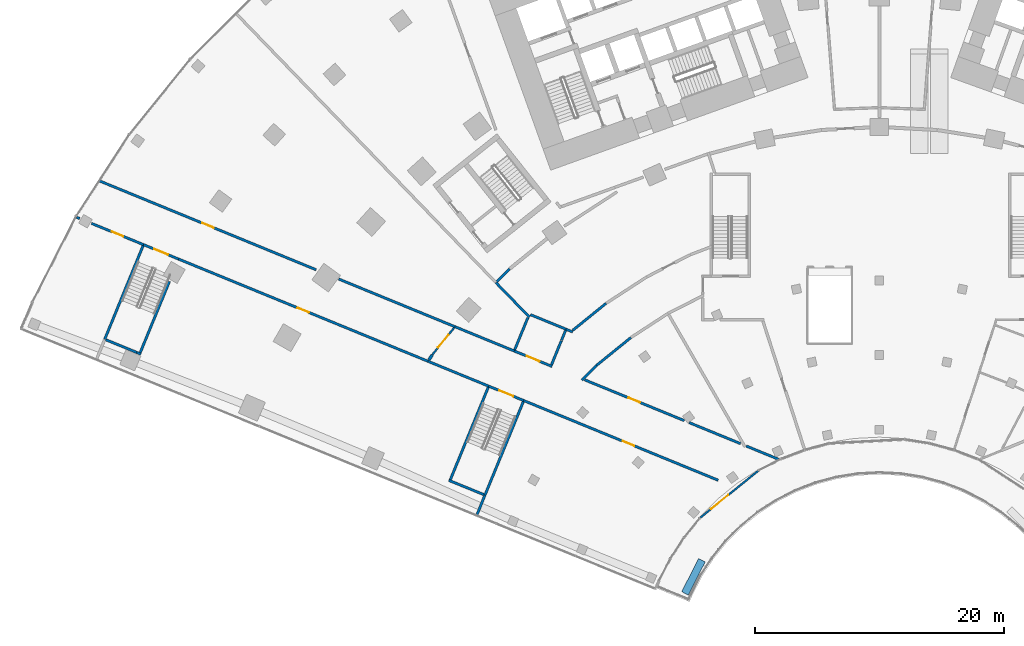
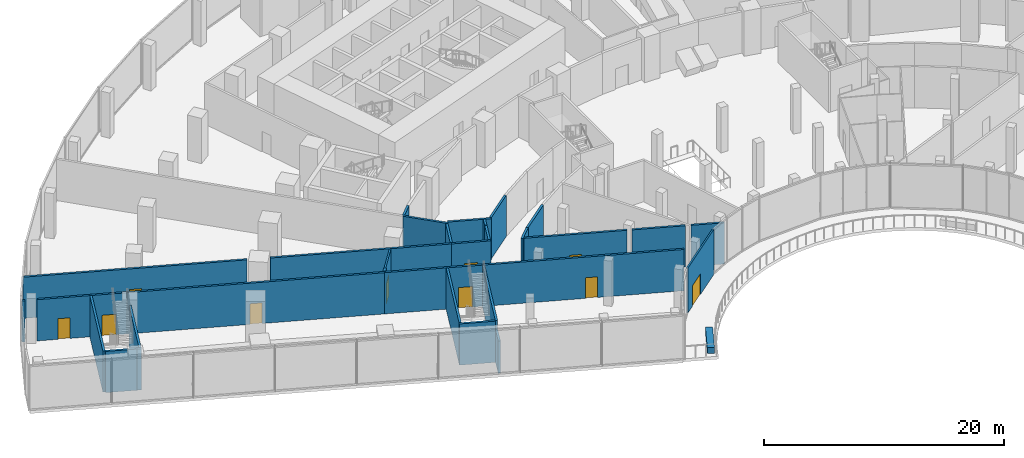
# One storey, part 22 of 40: 36 walls, 10 doors, 10 openings.
"""IFC4 building model written with IfcOpenShell, lengths in metres."""

from ifc_helpers import new_model, si_unit, direction, frame, frame_2d, origin, origin_2d, place, context, subcontext, project, spatial, rectangle, extrude, material, layer, layer_set, type_object, element, fill, save


model = new_model("IFC4")

# Units and contexts
model_context = context("Model", 3, precision=1e-05, world=origin(), true_north=direction((0.0, 1.0)))
body_context = subcontext(model_context, "Body", "Model", "MODEL_VIEW")
ifc_project = project(units=[si_unit("LENGTHUNIT", "METRE"), si_unit("AREAUNIT", "SQUARE_METRE"), si_unit("VOLUMEUNIT", "CUBIC_METRE"), si_unit("PLANEANGLEUNIT", "RADIAN"), si_unit("MASSUNIT", "GRAM", prefix="KILO")], contexts=[model_context])

# Site, building, storey
site_placement = place(None, origin())
site = spatial("IfcSite", under=ifc_project, at=site_placement, CompositionType="ELEMENT")
building_placement = place(site_placement, origin())
building = spatial("IfcBuilding", under=site, at=building_placement, Name="Stone Belt Terrace Tower", CompositionType="ELEMENT")
storey_placement = place(building_placement, frame((0.0, 0.0, 7.0)))
storey = spatial("IfcBuildingStorey", under=building, at=storey_placement, Name="L01", CompositionType="ELEMENT", Elevation=7.0)

# Wall, opening, door
ifc_material_1 = material(Name="Terracotta coloured glazed ceramic", Category="masonry")
ifc_layer_1 = layer(ifc_material_1, 0.14990234375)
ifc_layer_set_1 = layer_set([ifc_layer_1], Name="Ceramic rain-screen wall 150")
wall_type_1 = type_object("IfcWallType", Name="Ceramic rain-screen wall 150", PredefinedType="SOLIDWALL", material=ifc_layer_set_1)
wall_1_placement = place(storey_placement, frame((-14.40869140625, 13.018310546875, 0.0), z_axis=(0.0, 0.0, 1.0), x_axis=(0.777129442092, 0.629340790219, 0.0)))
wall_1 = element("IfcWall", 1, at=wall_1_placement, inside=storey, type_object=wall_type_1, Name="Door wall L01", PredefinedType="SOLIDWALL", context=body_context, shape_type="SweptSolid", body=[
    extrude(rectangle(XDim=6.009765625, YDim=0.14990234375, at=frame_2d((3.0048828125, 0.0))), origin(), (0.0, 0.0, 1.0), 4.60009765625),
])
opening_1_placement = place(wall_1_placement, frame((1.10009765625, 0.0, 0.0)))
opening_1 = element("IfcOpeningElement", 2, at=opening_1_placement, cuts=wall_1, Name="Opening L01-E01", PredefinedType="OPENING", context=body_context, shape_type="SweptSolid", body=[
    extrude(rectangle(XDim=1.800048828125, YDim=2.10009765625, at=frame_2d((0.89990234375, 1.050048828125))), frame((0.0, 0.0849609375, 0.0), z_axis=(0.0, -1.0, 0.0), x_axis=(1.0, 0.0, 0.0)), (0.0, 0.0, 1.0), 0.169921875),
])
ifc_material_2 = material(Name="Anodised aluminium glazed door", Category="aluminium")
door_type_1 = type_object("IfcDoorType", Name="Terrace double door 1800 x 2100", OperationType="DOUBLE_DOOR_DOUBLE_SWING", PredefinedType="DOOR", material=ifc_material_2)
door_1_placement = place(opening_1_placement, origin())
door_1 = element("IfcDoor", 3, at=door_1_placement, inside=storey, type_object=door_type_1, Name="Terrace door L01", OperationType="DOUBLE_DOOR_DOUBLE_SWING", OverallHeight=2.10009765625, OverallWidth=1.800048828125, PredefinedType="DOOR", context=body_context, shape_type="SweptSolid", body=[
    extrude(rectangle(XDim=1.800048828125, YDim=2.10009765625, at=frame_2d((0.89990234375, 1.050048828125))), frame((0.0, 0.02490234375, 0.0), z_axis=(0.0, -1.0, 0.0), x_axis=(1.0, 0.0, 0.0)), (0.0, 0.0, 1.0), 0.050048828125),
])
fill(opening_1, door_1)

# Walls
ifc_material_3 = material(Name="Fire-resistant glazing in steel frame", Category="steel")
ifc_layer_2 = layer(ifc_material_3, 0.25)
ifc_layer_set_2 = layer_set([ifc_layer_2], Name="Glazed compartment fire screen 250")
wall_type_2 = type_object("IfcWallType", Name="Glazed compartment fire screen 250", PredefinedType="PARTITIONING", material=ifc_layer_set_2)
wall_2_placement = place(storey_placement, frame((-36.231201171875, 25.705322265625, 0.0), z_axis=(0.0, 0.0, 1.0), x_axis=(0.547424137073, 0.836855312554, 0.0)))
element("IfcWall", 4, at=wall_2_placement, inside=storey, type_object=wall_type_2, Name="Compartment fire screen L01 1", PredefinedType="PARTITIONING", context=body_context, shape_type="SweptSolid", body=[
    extrude(rectangle(XDim=0.4892578125, YDim=0.25, at=frame_2d((0.24462890625, 0.0))), origin(), (0.0, 0.0, 1.0), 4.199951171875),
])
ifc_material_4 = material(Name="Precast concrete C40/50", Category="concrete")
ifc_layer_3 = layer(ifc_material_4, 0.60009765625)
ifc_layer_set_3 = layer_set([ifc_layer_3], Name="Planter box 600 x 600")
wall_type_3 = type_object("IfcWallType", Name="Planter box 600 x 600", PredefinedType="SOLIDWALL", material=ifc_layer_set_3)
wall_3_placement = place(storey_placement, frame((-14.952392578125, 8.2705078125, 0.0), z_axis=(0.0, 0.0, 1.0), x_axis=(0.45399049974, 0.891006524188, 0.0)))
element("IfcWall", 5, at=wall_3_placement, inside=storey, type_object=wall_type_3, Name="PLANTER L01 1", PredefinedType="SOLIDWALL", context=body_context, shape_type="SweptSolid", body=[
    extrude(rectangle(XDim=3.0, YDim=0.60009765625, at=origin_2d()), origin(), (0.0, 0.0, 1.0), 0.60009765625),
])
ifc_material_5 = material(Name="Blockwork wall, plastered both faces", Category="masonry")
ifc_layer_4 = layer(ifc_material_5, 0.199951171875)
ifc_layer_set_4 = layer_set([ifc_layer_4], Name="Podium demising wall 200")
wall_type_4 = type_object("IfcWallType", Name="Podium demising wall 200", PredefinedType="PARTITIONING", material=ifc_layer_set_4)
wall_4_placement = place(storey_placement, frame((-64.56005859375, 37.179931640625, 0.0), z_axis=(0.0, 0.0, 1.0), x_axis=(0.92567790555, -0.378312589238, 0.0)))
element("IfcWall", 6, at=wall_4_placement, inside=storey, type_object=wall_type_4, Name="Podium demising wall 200", PredefinedType="PARTITIONING", context=body_context, shape_type="SweptSolid", body=[
    extrude(rectangle(XDim=0.26708984375, YDim=0.199951171875, at=frame_2d((0.133544921875, 0.0))), origin(), (0.0, 0.0, 1.0), 4.199951171875),
])

# Wall, opening, door
wall_5_placement = place(storey_placement, frame((-63.36962890625, 36.693115234375, 0.0), z_axis=(0.0, 0.0, 1.0), x_axis=(0.925603654014, -0.378494221458, 0.0)))
wall_5 = element("IfcWall", 7, at=wall_5_placement, inside=storey, type_object=wall_type_4, Name="Podium demising wall 200", PredefinedType="PARTITIONING", context=body_context, shape_type="SweptSolid", body=[
    extrude(rectangle(XDim=4.526123046875, YDim=0.199951171875, at=frame_2d((2.26318359375, 0.0))), origin(), (0.0, 0.0, 1.0), 4.199951171875),
])
opening_2_placement = place(wall_5_placement, frame((1.76318359375, 0.0, 0.0)))
opening_2 = element("IfcOpeningElement", 8, at=opening_2_placement, cuts=wall_5, Name="Opening L01-P19", PredefinedType="OPENING", context=body_context, shape_type="SweptSolid", body=[
    extrude(rectangle(XDim=1.0, YDim=2.10009765625, at=frame_2d((0.5, 1.050048828125))), frame((0.0, 0.10986328125, 0.0), z_axis=(0.0, -1.0, 0.0), x_axis=(1.0, 0.0, 0.0)), (0.0, 0.0, 1.0), 0.219970703125),
])
ifc_material_6 = material(Name="Steel framed door leaf", Category="steel")
door_type_2 = type_object("IfcDoorType", Name="Podium door single 1000", OperationType="SINGLE_SWING_LEFT", PredefinedType="DOOR", material=ifc_material_6)
door_2_placement = place(opening_2_placement, origin())
door_2 = element("IfcDoor", 9, at=door_2_placement, inside=storey, type_object=door_type_2, Name="Podium door single 1000", OperationType="SINGLE_SWING_LEFT", OverallHeight=2.10009765625, OverallWidth=1.0, PredefinedType="DOOR", context=body_context, shape_type="SweptSolid", body=[
    extrude(rectangle(XDim=1.0, YDim=2.10009765625, at=frame_2d((0.5, 1.050048828125))), frame((0.0, 0.02490234375, 0.0), z_axis=(0.0, -1.0, 0.0), x_axis=(1.0, 0.0, 0.0)), (0.0, 0.0, 1.0), 0.050048828125),
])
fill(opening_2, door_2)

wall_6_placement = place(storey_placement, frame((-62.77001953125, 40.126953125, 0.0), z_axis=(0.0, 0.0, 1.0), x_axis=(0.925202485475, -0.379473794709, 0.0)))
wall_6 = element("IfcWall", 10, at=wall_6_placement, inside=storey, type_object=wall_type_4, Name="Podium demising wall 200", PredefinedType="PARTITIONING", context=body_context, shape_type="SweptSolid", body=[
    extrude(rectangle(XDim=18.885986328125, YDim=0.199951171875, at=frame_2d((9.44287109375, 0.0))), origin(), (0.0, 0.0, 1.0), 4.199951171875),
])
opening_3_placement = place(wall_6_placement, frame((8.99169921875, 0.0, 0.0)))
opening_3 = element("IfcOpeningElement", 11, at=opening_3_placement, cuts=wall_6, Name="Opening L01-P25", PredefinedType="OPENING", context=body_context, shape_type="SweptSolid", body=[
    extrude(rectangle(XDim=1.0, YDim=2.10009765625, at=frame_2d((0.5, 1.050048828125))), frame((0.0, 0.10986328125, 0.0), z_axis=(0.0, -1.0, 0.0), x_axis=(1.0, 0.0, 0.0)), (0.0, 0.0, 1.0), 0.219970703125),
])
door_3_placement = place(opening_3_placement, origin())
door_3 = element("IfcDoor", 12, at=door_3_placement, inside=storey, type_object=door_type_2, Name="Podium door single 1000", OperationType="SINGLE_SWING_LEFT", OverallHeight=2.10009765625, OverallWidth=1.0, PredefinedType="DOOR", context=body_context, shape_type="SweptSolid", body=[
    extrude(rectangle(XDim=1.0, YDim=2.10009765625, at=frame_2d((0.5, 1.050048828125))), frame((0.0, 0.02490234375, 0.0), z_axis=(0.0, -1.0, 0.0), x_axis=(1.0, 0.0, 0.0)), (0.0, 0.0, 1.0), 0.050048828125),
])
fill(opening_3, door_3)

# Wall
wall_7_placement = place(storey_placement, frame((-43.482177734375, 32.2158203125, 0.0), z_axis=(0.0, 0.0, 1.0), x_axis=(0.925199930232, -0.379480024638, 0.0)))
element("IfcWall", 13, at=wall_7_placement, inside=storey, type_object=wall_type_4, Name="Podium demising wall 200", PredefinedType="PARTITIONING", context=body_context, shape_type="SweptSolid", body=[
    extrude(rectangle(XDim=10.1083984375, YDim=0.199951171875, at=frame_2d((5.05419921875, 0.0))), origin(), (0.0, 0.0, 1.0), 4.199951171875),
])

# Wall, opening, door
wall_8_placement = place(storey_placement, frame((-56.35986328125, 33.820068359375, 0.0), z_axis=(0.0, 0.0, 1.0), x_axis=(0.925325608597, -0.379173466997, 0.0)))
wall_8 = element("IfcWall", 14, at=wall_8_placement, inside=storey, type_object=wall_type_4, Name="Podium demising wall 200", PredefinedType="PARTITIONING", context=body_context, shape_type="SweptSolid", body=[
    extrude(rectangle(XDim=21.6787109375, YDim=0.199951171875, at=frame_2d((10.83935546875, 0.0))), origin(), (0.0, 0.0, 1.0), 4.199951171875),
])
opening_4_placement = place(wall_8_placement, frame((10.33935546875, 0.0, 0.0)))
opening_4 = element("IfcOpeningElement", 15, at=opening_4_placement, cuts=wall_8, Name="Opening L01-P18", PredefinedType="OPENING", context=body_context, shape_type="SweptSolid", body=[
    extrude(rectangle(XDim=1.0, YDim=2.10009765625, at=frame_2d((0.5, 1.050048828125))), frame((0.0, 0.10986328125, 0.0), z_axis=(0.0, -1.0, 0.0), x_axis=(1.0, 0.0, 0.0)), (0.0, 0.0, 1.0), 0.219970703125),
])
door_4_placement = place(opening_4_placement, origin())
door_4 = element("IfcDoor", 16, at=door_4_placement, inside=storey, type_object=door_type_2, Name="Podium door single 1000", OperationType="SINGLE_SWING_RIGHT", OverallHeight=2.10009765625, OverallWidth=1.0, PredefinedType="DOOR", context=body_context, shape_type="SweptSolid", body=[
    extrude(rectangle(XDim=1.0, YDim=2.10009765625, at=frame_2d((0.5, 1.050048828125))), frame((0.0, 0.02490234375, 0.0), z_axis=(0.0, -1.0, 0.0), x_axis=(1.0, 0.0, 0.0)), (0.0, 0.0, 1.0), 0.050048828125),
])
fill(opening_4, door_4)

# Walls
wall_9_placement = place(storey_placement, frame((-36.300048828125, 25.60009765625, 0.0), z_axis=(0.0, 0.0, 1.0), x_axis=(0.925301943077, -0.379231214613, 0.0)))
element("IfcWall", 17, at=wall_9_placement, inside=storey, type_object=wall_type_4, Name="Podium demising wall 200", PredefinedType="PARTITIONING", context=body_context, shape_type="SweptSolid", body=[
    extrude(rectangle(XDim=5.27392578125, YDim=0.199951171875, at=frame_2d((2.636962890625, 0.0))), origin(), (0.0, 0.0, 1.0), 4.199951171875),
])
wall_10_placement = place(storey_placement, frame((-34.1298828125, 28.3798828125, 0.0), z_axis=(0.0, 0.0, 1.0), x_axis=(0.925357825015, -0.37909483732, 0.0)))
element("IfcWall", 18, at=wall_10_placement, inside=storey, type_object=wall_type_4, Name="Podium demising wall 200", PredefinedType="PARTITIONING", context=body_context, shape_type="SweptSolid", body=[
    extrude(rectangle(XDim=5.143798828125, YDim=0.199951171875, at=frame_2d((2.57177734375, 0.0))), origin(), (0.0, 0.0, 1.0), 4.199951171875),
])
wall_11_placement = place(storey_placement, frame((-32.360107421875, 13.260009765625, 0.0), z_axis=(0.0, 0.0, 1.0), x_axis=(0.375412514618, 0.926857833688, 0.0)))
element("IfcWall", 19, at=wall_11_placement, inside=storey, type_object=wall_type_4, Name="Podium demising wall 200", PredefinedType="PARTITIONING", context=body_context, shape_type="SweptSolid", body=[
    extrude(rectangle(XDim=1.70458984375, YDim=0.199951171875, at=frame_2d((0.852294921875, 0.0))), origin(), (0.0, 0.0, 1.0), 3.300048828125),
])
wall_12_placement = place(storey_placement, frame((-30.769287109375, 32.000732421875, 0.0), z_axis=(0.0, 0.0, 1.0), x_axis=(0.707106781187, 0.707106781187, 0.0)))
element("IfcWall", 20, at=wall_12_placement, inside=storey, type_object=wall_type_4, Name="Podium demising wall 200", PredefinedType="PARTITIONING", context=body_context, shape_type="SweptSolid", body=[
    extrude(rectangle(XDim=1.450439453125, YDim=0.199951171875, at=frame_2d((0.72509765625, 0.0))), origin(), (0.0, 0.0, 1.0), 4.199951171875),
])
wall_13_placement = place(storey_placement, frame((-30.83984375, 31.929931640625, 0.0), z_axis=(0.0, 0.0, 1.0), x_axis=(0.696368396989, -0.717684509847, 0.0)))
element("IfcWall", 21, at=wall_13_placement, inside=storey, type_object=wall_type_4, Name="Podium demising wall 200", PredefinedType="PARTITIONING", context=body_context, shape_type="SweptSolid", body=[
    extrude(rectangle(XDim=3.871337890625, YDim=0.199951171875, at=frame_2d((1.935546875, 0.0))), origin(), (0.0, 0.0, 1.0), 4.199951171875),
])

# Wall, opening, door
wall_14_placement = place(storey_placement, frame((-28.599853515625, 22.43994140625, 0.0), z_axis=(0.0, 0.0, 1.0), x_axis=(0.925338544159, -0.379141897834, 0.0)))
wall_14 = element("IfcWall", 22, at=wall_14_placement, inside=storey, type_object=wall_type_4, Name="Podium demising wall 200", PredefinedType="PARTITIONING", context=body_context, shape_type="SweptSolid", body=[
    extrude(rectangle(XDim=16.898681640625, YDim=0.199951171875, at=frame_2d((8.44921875, 0.0))), origin(), (0.0, 0.0, 1.0), 4.199951171875),
])
opening_5_placement = place(wall_14_placement, frame((8.599365234375, 0.0, 0.0)))
opening_5 = element("IfcOpeningElement", 23, at=opening_5_placement, cuts=wall_14, Name="Opening L01-P17", PredefinedType="OPENING", context=body_context, shape_type="SweptSolid", body=[
    extrude(rectangle(XDim=1.0, YDim=2.10009765625, at=frame_2d((0.5, 1.050048828125))), frame((0.0, 0.10986328125, 0.0), z_axis=(0.0, -1.0, 0.0), x_axis=(1.0, 0.0, 0.0)), (0.0, 0.0, 1.0), 0.219970703125),
])
door_5_placement = place(opening_5_placement, origin())
door_5 = element("IfcDoor", 24, at=door_5_placement, inside=storey, type_object=door_type_2, Name="Podium door single 1000", OperationType="SINGLE_SWING_LEFT", OverallHeight=2.10009765625, OverallWidth=1.0, PredefinedType="DOOR", context=body_context, shape_type="SweptSolid", body=[
    extrude(rectangle(XDim=1.0, YDim=2.10009765625, at=frame_2d((0.5, 1.050048828125))), frame((0.0, 0.02490234375, 0.0), z_axis=(0.0, -1.0, 0.0), x_axis=(1.0, 0.0, 0.0)), (0.0, 0.0, 1.0), 0.050048828125),
])
fill(opening_5, door_5)

# Walls
wall_15_placement = place(storey_placement, frame((-25.19970703125, 28.1796875, 0.0), z_axis=(0.0, 0.0, 1.0), x_axis=(0.922639875422, -0.385662624948, 0.0)))
element("IfcWall", 25, at=wall_15_placement, inside=storey, type_object=wall_type_4, Name="Podium demising wall 200", PredefinedType="PARTITIONING", context=body_context, shape_type="SweptSolid", body=[
    extrude(rectangle(XDim=0.579345703125, YDim=0.199951171875, at=frame_2d((0.28955078125, 0.0))), origin(), (0.0, 0.0, 1.0), 4.199951171875),
])
wall_16_placement = place(storey_placement, frame((-24.659912109375, 28.089111328125, 0.0), z_axis=(0.0, 0.0, 1.0), x_axis=(0.77705000764, 0.629438865678, 0.0)))
element("IfcWall", 26, at=wall_16_placement, inside=storey, type_object=wall_type_4, Name="Podium demising wall 200", PredefinedType="PARTITIONING", context=body_context, shape_type="SweptSolid", body=[
    extrude(rectangle(XDim=3.443603515625, YDim=0.199951171875, at=frame_2d((1.7216796875, 0.0))), origin(), (0.0, 0.0, 1.0), 4.199951171875),
])
wall_17_placement = place(storey_placement, frame((-23.9267578125, 24.09326171875, 0.0), z_axis=(0.0, 0.0, 1.0), x_axis=(0.707106781187, 0.707106781187, 0.0)))
element("IfcWall", 27, at=wall_17_placement, inside=storey, type_object=wall_type_4, Name="Podium demising wall 200", PredefinedType="PARTITIONING", context=body_context, shape_type="SweptSolid", body=[
    extrude(rectangle(XDim=1.658935546875, YDim=0.199951171875, at=frame_2d((0.82958984375, 0.0))), origin(), (0.0, 0.0, 1.0), 4.199951171875),
])

# Wall, opening, door
wall_18_placement = place(storey_placement, frame((-23.710693359375, 24.113037109375, 0.0), z_axis=(0.0, 0.0, 1.0), x_axis=(0.92543970317, -0.378894913924, 0.0)))
wall_18 = element("IfcWall", 28, at=wall_18_placement, inside=storey, type_object=wall_type_4, Name="Podium demising wall 200", PredefinedType="PARTITIONING", context=body_context, shape_type="SweptSolid", body=[
    extrude(rectangle(XDim=8.669189453125, YDim=0.199951171875, at=frame_2d((4.33447265625, 0.0))), origin(), (0.0, 0.0, 1.0), 4.199951171875),
])
opening_6_placement = place(wall_18_placement, frame((3.813720703125, 0.0, 0.0)))
opening_6 = element("IfcOpeningElement", 29, at=opening_6_placement, cuts=wall_18, Name="Opening L01-P23", PredefinedType="OPENING", context=body_context, shape_type="SweptSolid", body=[
    extrude(rectangle(XDim=1.0, YDim=2.10009765625, at=frame_2d((0.5, 1.050048828125))), frame((0.0, 0.10986328125, 0.0), z_axis=(0.0, -1.0, 0.0), x_axis=(1.0, 0.0, 0.0)), (0.0, 0.0, 1.0), 0.219970703125),
])
door_6_placement = place(opening_6_placement, origin())
door_6 = element("IfcDoor", 30, at=door_6_placement, inside=storey, type_object=door_type_2, Name="Podium door single 1000", OperationType="SINGLE_SWING_LEFT", OverallHeight=2.10009765625, OverallWidth=1.0, PredefinedType="DOOR", context=body_context, shape_type="SweptSolid", body=[
    extrude(rectangle(XDim=1.0, YDim=2.10009765625, at=frame_2d((0.5, 1.050048828125))), frame((0.0, 0.02490234375, 0.0), z_axis=(0.0, -1.0, 0.0), x_axis=(1.0, 0.0, 0.0)), (0.0, 0.0, 1.0), 0.050048828125),
])
fill(opening_6, door_6)

# Walls
wall_19_placement = place(storey_placement, frame((-15.29541015625, 20.66748046875, 0.0), z_axis=(0.0, 0.0, 1.0), x_axis=(0.925456350412, -0.378854250975, 0.0)))
element("IfcWall", 31, at=wall_19_placement, inside=storey, type_object=wall_type_4, Name="Podium demising wall 200", PredefinedType="PARTITIONING", context=body_context, shape_type="SweptSolid", body=[
    extrude(rectangle(XDim=4.465087890625, YDim=0.199951171875, at=frame_2d((2.232421875, 0.0))), origin(), (0.0, 0.0, 1.0), 4.199951171875),
])
wall_20_placement = place(storey_placement, frame((-22.745849609375, 25.273193359375, 0.0), z_axis=(0.0, 0.0, 1.0), x_axis=(0.777552089631, 0.628818533371, 0.0)))
element("IfcWall", 32, at=wall_20_placement, inside=storey, type_object=wall_type_4, Name="Podium demising wall 200", PredefinedType="PARTITIONING", context=body_context, shape_type="SweptSolid", body=[
    extrude(rectangle(XDim=3.55224609375, YDim=0.199951171875, at=frame_2d((1.776123046875, 0.0))), origin(), (0.0, 0.0, 1.0), 4.199951171875),
])
wall_21_placement = place(storey_placement, frame((-10.712890625, 18.787353515625, 0.0), z_axis=(0.0, 0.0, 1.0), x_axis=(0.92522174537, -0.379426833389, 0.0)))
element("IfcWall", 33, at=wall_21_placement, inside=storey, type_object=wall_type_4, Name="Podium demising wall 200", PredefinedType="PARTITIONING", context=body_context, shape_type="SweptSolid", body=[
    extrude(rectangle(XDim=2.813232421875, YDim=0.199951171875, at=frame_2d((1.40673828125, 0.0))), origin(), (0.0, 0.0, 1.0), 4.199951171875),
])
ifc_material_7 = material(Name="Reinforced blockwork wall, plastered both faces", Category="masonry")
ifc_layer_5 = layer(ifc_material_7, 0.199951171875)
ifc_layer_set_5 = layer_set([ifc_layer_5], Name="Podium lift shaft wall 200")
wall_type_5 = type_object("IfcWallType", Name="Podium lift shaft wall 200", PredefinedType="SOLIDWALL", material=ifc_layer_set_5)
wall_22_placement = place(storey_placement, frame((-29.33203125, 26.5224609375, 0.0), z_axis=(0.0, 0.0, 1.0), x_axis=(0.379953593578, 0.925005549566, 0.0)))
element("IfcWall", 34, at=wall_22_placement, inside=storey, type_object=wall_type_5, Name="Podium lift shaft wall 200", PredefinedType="SOLIDWALL", context=body_context, shape_type="SweptSolid", body=[
    extrude(rectangle(XDim=2.7919921875, YDim=0.199951171875, at=frame_2d((1.39599609375, 0.0))), origin(), (0.0, 0.0, 1.0), 4.199951171875),
])

# Wall, opening, door
wall_23_placement = place(storey_placement, frame((-29.3701171875, 26.429931640625, 0.0), z_axis=(0.0, 0.0, 1.0), x_axis=(0.925657763404, -0.378361870502, 0.0)))
wall_23 = element("IfcWall", 35, at=wall_23_placement, inside=storey, type_object=wall_type_5, Name="Podium lift shaft wall 200", PredefinedType="SOLIDWALL", context=body_context, shape_type="SweptSolid", body=[
    extrude(rectangle(XDim=3.2978515625, YDim=0.199951171875, at=frame_2d((1.64892578125, 0.0))), origin(), (0.0, 0.0, 1.0), 4.199951171875),
])
opening_7_placement = place(wall_23_placement, frame((1.098876953125, 0.0, 0.0)))
opening_7 = element("IfcOpeningElement", 36, at=opening_7_placement, cuts=wall_23, Name="Opening L01-P09", PredefinedType="OPENING", context=body_context, shape_type="SweptSolid", body=[
    extrude(rectangle(XDim=1.10009765625, YDim=2.10009765625, at=frame_2d((0.550048828125, 1.050048828125))), frame((0.0, 0.10986328125, 0.0), z_axis=(0.0, -1.0, 0.0), x_axis=(1.0, 0.0, 0.0)), (0.0, 0.0, 1.0), 0.219970703125),
])
ifc_material_8 = material(Name="Stainless steel sliding landing door leaf", Category="steel")
door_type_3 = type_object("IfcDoorType", Name="Podium landing door 1100", OperationType="SLIDING_TO_LEFT", PredefinedType="DOOR", material=ifc_material_8)
door_7_placement = place(opening_7_placement, origin())
door_7 = element("IfcDoor", 37, at=door_7_placement, inside=storey, type_object=door_type_3, Name="Podium landing door 1100", OperationType="SLIDING_TO_LEFT", OverallHeight=2.10009765625, OverallWidth=1.10009765625, PredefinedType="DOOR", context=body_context, shape_type="SweptSolid", body=[
    extrude(rectangle(XDim=1.10009765625, YDim=2.10009765625, at=frame_2d((0.550048828125, 1.050048828125))), frame((0.0, 0.02490234375, 0.0), z_axis=(0.0, -1.0, 0.0), x_axis=(1.0, 0.0, 0.0)), (0.0, 0.0, 1.0), 0.050048828125),
])
fill(opening_7, door_7)

# Walls
wall_24_placement = place(storey_placement, frame((-28.0673828125, 29.352294921875, 0.0), z_axis=(0.0, 0.0, 1.0), x_axis=(0.925628548786, -0.378433335836, 0.0)))
element("IfcWall", 38, at=wall_24_placement, inside=storey, type_object=wall_type_5, Name="Podium lift shaft wall 200", PredefinedType="SOLIDWALL", context=body_context, shape_type="SweptSolid", body=[
    extrude(rectangle(XDim=3.097412109375, YDim=0.199951171875, at=frame_2d((1.548828125, 0.0))), origin(), (0.0, 0.0, 1.0), 4.199951171875),
])
wall_25_placement = place(storey_placement, frame((-26.372314453125, 25.3125, 0.0), z_axis=(0.0, 0.0, 1.0), x_axis=(0.378478428973, 0.925610111657, 0.0)))
element("IfcWall", 39, at=wall_25_placement, inside=storey, type_object=wall_type_5, Name="Podium lift shaft wall 200", PredefinedType="SOLIDWALL", context=body_context, shape_type="SweptSolid", body=[
    extrude(rectangle(XDim=2.09326171875, YDim=0.199951171875, at=frame_2d((1.046630859375, 0.0))), origin(), (0.0, 0.0, 1.0), 4.199951171875),
])
wall_26_placement = place(storey_placement, frame((-25.56005859375, 27.2900390625, 0.0), z_axis=(0.0, 0.0, 1.0), x_axis=(0.37496047067, 0.927040800308, 0.0)))
element("IfcWall", 40, at=wall_26_placement, inside=storey, type_object=wall_type_5, Name="Podium lift shaft wall 200", PredefinedType="SOLIDWALL", context=body_context, shape_type="SweptSolid", body=[
    extrude(rectangle(XDim=0.860107421875, YDim=0.199951171875, at=frame_2d((0.43017578125, 0.0))), origin(), (0.0, 0.0, 1.0), 4.199951171875),
])

# Wall, opening, door
ifc_material_9 = material(Name="Gypsum board on steel stud partition", Category="steel")
ifc_layer_6 = layer(ifc_material_9, 0.14990234375)
ifc_layer_set_6 = layer_set([ifc_layer_6], Name="Podium partition 150")
wall_type_6 = type_object("IfcWallType", Name="Podium partition 150", PredefinedType="PARTITIONING", material=ifc_layer_set_6)
wall_27_placement = place(storey_placement, frame((-35.95751953125, 26.123046875, 0.0), z_axis=(0.0, 0.0, 1.0), x_axis=(0.629314529467, 0.777150708037, 0.0)))
wall_27 = element("IfcWall", 41, at=wall_27_placement, inside=storey, type_object=wall_type_6, Name="Podium partition 150", PredefinedType="PARTITIONING", context=body_context, shape_type="SweptSolid", body=[
    extrude(rectangle(XDim=2.777587890625, YDim=0.14990234375, at=frame_2d((1.388671875, 0.0))), origin(), (0.0, 0.0, 1.0), 4.199951171875),
])
opening_8_placement = place(wall_27_placement, frame((0.75, 0.0, 0.0)))
opening_8 = element("IfcOpeningElement", 42, at=opening_8_placement, cuts=wall_27, Name="Opening L01-P40", PredefinedType="OPENING", context=body_context, shape_type="SweptSolid", body=[
    extrude(rectangle(XDim=1.300048828125, YDim=2.10009765625, at=frame_2d((0.64990234375, 1.050048828125))), frame((0.0, 0.0849609375, 0.0), z_axis=(0.0, -1.0, 0.0), x_axis=(1.0, 0.0, 0.0)), (0.0, 0.0, 1.0), 0.169921875),
])
ifc_material_10 = material(Name="Steel framed fire door leaf", Category="steel")
door_type_4 = type_object("IfcDoorType", Name="Fire door 1300 x 2100 EI 60", OperationType="SINGLE_SWING_LEFT", PredefinedType="DOOR", material=ifc_material_10)
door_8_placement = place(opening_8_placement, origin())
door_8 = element("IfcDoor", 43, at=door_8_placement, inside=storey, type_object=door_type_4, Name="Fire door 1300 x 2100 EI 60", OperationType="SINGLE_SWING_LEFT", OverallHeight=2.10009765625, OverallWidth=1.300048828125, PredefinedType="DOOR", context=body_context, shape_type="SweptSolid", body=[
    extrude(rectangle(XDim=1.300048828125, YDim=2.10009765625, at=frame_2d((0.64990234375, 1.050048828125))), frame((0.0, 0.02490234375, 0.0), z_axis=(0.0, -1.0, 0.0), x_axis=(1.0, 0.0, 0.0)), (0.0, 0.0, 1.0), 0.050048828125),
])
fill(opening_8, door_8)

# Walls
ifc_material_11 = material(Name="Concrete B30", Category="concrete")
ifc_layer_7 = layer(ifc_material_11, 0.199951171875)
ifc_layer_set_7 = layer_set([ifc_layer_7], Name="Podium stair and shaft wall 200")
wall_type_7 = type_object("IfcWallType", Name="Podium stair and shaft wall 200", PredefinedType="SOLIDWALL", material=ifc_layer_set_7)
wall_28_placement = place(storey_placement, frame((-62.20751953125, 27.33203125, 0.0), z_axis=(0.0, 0.0, 1.0), x_axis=(0.924825245406, -0.380392252102, 0.0)))
element("IfcWall", 44, at=wall_28_placement, inside=storey, type_object=wall_type_7, Name="Podium stair and shaft wall 200", PredefinedType="SOLIDWALL", context=body_context, shape_type="SweptSolid", body=[
    extrude(rectangle(XDim=2.678955078125, YDim=0.199951171875, at=frame_2d((1.33935546875, 0.0))), origin(), (0.0, 0.0, 1.0), 4.199951171875),
])
wall_29_placement = place(storey_placement, frame((-59.72998046875, 26.31298828125, 0.0), z_axis=(0.0, 0.0, 1.0), x_axis=(0.924841834944, -0.380351916438, 0.0)))
element("IfcWall", 45, at=wall_29_placement, inside=storey, type_object=wall_type_7, Name="Podium stair and shaft wall 200", PredefinedType="SOLIDWALL", context=body_context, shape_type="SweptSolid", body=[
    extrude(rectangle(XDim=0.370361328125, YDim=0.199951171875, at=frame_2d((0.18505859375, 0.0))), origin(), (0.0, 0.0, 1.0), 4.199951171875),
])
wall_30_placement = place(storey_placement, frame((-62.300048828125, 27.3701171875, 0.0), z_axis=(0.0, 0.0, 1.0), x_axis=(0.379345306329, 0.925255174839, 0.0)))
element("IfcWall", 46, at=wall_30_placement, inside=storey, type_object=wall_type_7, Name="Podium stair and shaft wall 200", PredefinedType="SOLIDWALL", context=body_context, shape_type="SweptSolid", body=[
    extrude(rectangle(XDim=8.12451171875, YDim=0.199951171875, at=frame_2d((4.062255859375, 0.0))), origin(), (0.0, 0.0, 1.0), 4.199951171875),
])
wall_31_placement = place(storey_placement, frame((-59.442138671875, 26.302490234375, 0.0), z_axis=(0.0, 0.0, 1.0), x_axis=(0.37933470683, 0.925259520456, 0.0)))
element("IfcWall", 47, at=wall_31_placement, inside=storey, type_object=wall_type_7, Name="Podium stair and shaft wall 200", PredefinedType="SOLIDWALL", context=body_context, shape_type="SweptSolid", body=[
    extrude(rectangle(XDim=6.18896484375, YDim=0.199951171875, at=frame_2d((3.094482421875, 0.0))), origin(), (0.0, 0.0, 1.0), 4.199951171875),
])

# Wall, opening, door
wall_32_placement = place(storey_placement, frame((-59.179931640625, 34.97998046875, 0.0), z_axis=(0.0, 0.0, 1.0), x_axis=(0.924815674246, -0.380415521068, 0.0)))
wall_32 = element("IfcWall", 48, at=wall_32_placement, inside=storey, type_object=wall_type_7, Name="Podium stair and shaft wall 200", PredefinedType="SOLIDWALL", context=body_context, shape_type="SweptSolid", body=[
    extrude(rectangle(XDim=3.049072265625, YDim=0.199951171875, at=frame_2d((1.5244140625, 0.0))), origin(), (0.0, 0.0, 1.0), 4.199951171875),
])
opening_9_placement = place(wall_32_placement, frame((0.924560546875, 0.0, 0.0)))
opening_9 = element("IfcOpeningElement", 49, at=opening_9_placement, cuts=wall_32, Name="Opening L01-P02", PredefinedType="OPENING", context=body_context, shape_type="SweptSolid", body=[
    extrude(rectangle(XDim=1.199951171875, YDim=2.10009765625, at=frame_2d((0.60009765625, 1.050048828125))), frame((0.0, 0.10986328125, 0.0), z_axis=(0.0, -1.0, 0.0), x_axis=(1.0, 0.0, 0.0)), (0.0, 0.0, 1.0), 0.219970703125),
])
door_type_5 = type_object("IfcDoorType", Name="Podium door fire stair 1200", OperationType="SINGLE_SWING_LEFT", PredefinedType="DOOR", material=ifc_material_6)
door_9_placement = place(opening_9_placement, origin())
door_9 = element("IfcDoor", 50, at=door_9_placement, inside=storey, type_object=door_type_5, Name="Podium door fire stair 1200", OperationType="SINGLE_SWING_RIGHT", OverallHeight=2.10009765625, OverallWidth=1.199951171875, PredefinedType="DOOR", context=body_context, shape_type="SweptSolid", body=[
    extrude(rectangle(XDim=1.199951171875, YDim=2.10009765625, at=frame_2d((0.60009765625, 1.050048828125))), frame((0.0, 0.02490234375, 0.0), z_axis=(0.0, -1.0, 0.0), x_axis=(1.0, 0.0, 0.0)), (0.0, 0.0, 1.0), 0.050048828125),
])
fill(opening_9, door_9)

# Walls
wall_33_placement = place(storey_placement, frame((-34.632568359375, 16.02783203125, 0.0), z_axis=(0.0, 0.0, 1.0), x_axis=(0.92595120991, -0.377643160756, 0.0)))
element("IfcWall", 51, at=wall_33_placement, inside=storey, type_object=wall_type_7, Name="Podium stair and shaft wall 200", PredefinedType="SOLIDWALL", context=body_context, shape_type="SweptSolid", body=[
    extrude(rectangle(XDim=3.045654296875, YDim=0.199951171875, at=frame_2d((1.52294921875, 0.0))), origin(), (0.0, 0.0, 1.0), 4.199951171875),
])
wall_34_placement = place(storey_placement, frame((-34.502197265625, 16.08251953125, 0.0), z_axis=(0.0, 0.0, 1.0), x_axis=(0.379344686309, 0.925255429041, 0.0)))
element("IfcWall", 52, at=wall_34_placement, inside=storey, type_object=wall_type_7, Name="Podium stair and shaft wall 200", PredefinedType="SOLIDWALL", context=body_context, shape_type="SweptSolid", body=[
    extrude(rectangle(XDim=8.02490234375, YDim=0.199951171875, at=frame_2d((4.012451171875, 0.0))), origin(), (0.0, 0.0, 1.0), 4.199951171875),
])
wall_35_placement = place(storey_placement, frame((-31.719970703125, 14.840087890625, 0.0), z_axis=(0.0, 0.0, 1.0), x_axis=(0.379778190266, 0.925077578476, 0.0)))
element("IfcWall", 53, at=wall_35_placement, inside=storey, type_object=wall_type_7, Name="Podium stair and shaft wall 200", PredefinedType="SOLIDWALL", context=body_context, shape_type="SweptSolid", body=[
    extrude(rectangle(XDim=8.115234375, YDim=0.199951171875, at=frame_2d((4.0576171875, 0.0))), origin(), (0.0, 0.0, 1.0), 4.199951171875),
])

# Wall, opening, door
wall_36_placement = place(storey_placement, frame((-31.419921875, 23.60009765625, 0.0), z_axis=(0.0, 0.0, 1.0), x_axis=(0.924787502584, -0.380484001063, 0.0)))
wall_36 = element("IfcWall", 54, at=wall_36_placement, inside=storey, type_object=wall_type_7, Name="Podium stair and shaft wall 200", PredefinedType="SOLIDWALL", context=body_context, shape_type="SweptSolid", body=[
    extrude(rectangle(XDim=3.049072265625, YDim=0.199951171875, at=frame_2d((1.5244140625, 0.0))), origin(), (0.0, 0.0, 1.0), 4.199951171875),
])
opening_10_placement = place(wall_36_placement, frame((0.924560546875, 0.0, 0.0)))
opening_10 = element("IfcOpeningElement", 55, at=opening_10_placement, cuts=wall_36, Name="Opening L01-P01", PredefinedType="OPENING", context=body_context, shape_type="SweptSolid", body=[
    extrude(rectangle(XDim=1.199951171875, YDim=2.10009765625, at=frame_2d((0.60009765625, 1.050048828125))), frame((0.0, 0.10986328125, 0.0), z_axis=(0.0, -1.0, 0.0), x_axis=(1.0, 0.0, 0.0)), (0.0, 0.0, 1.0), 0.219970703125),
])
door_10_placement = place(opening_10_placement, origin())
door_10 = element("IfcDoor", 56, at=door_10_placement, inside=storey, type_object=door_type_5, Name="Podium door fire stair 1200", OperationType="SINGLE_SWING_LEFT", OverallHeight=2.10009765625, OverallWidth=1.199951171875, PredefinedType="DOOR", context=body_context, shape_type="SweptSolid", body=[
    extrude(rectangle(XDim=1.199951171875, YDim=2.10009765625, at=frame_2d((0.60009765625, 1.050048828125))), frame((0.0, 0.02490234375, 0.0), z_axis=(0.0, -1.0, 0.0), x_axis=(1.0, 0.0, 0.0)), (0.0, 0.0, 1.0), 0.050048828125),
])
fill(opening_10, door_10)

save(model, "model.ifc")
